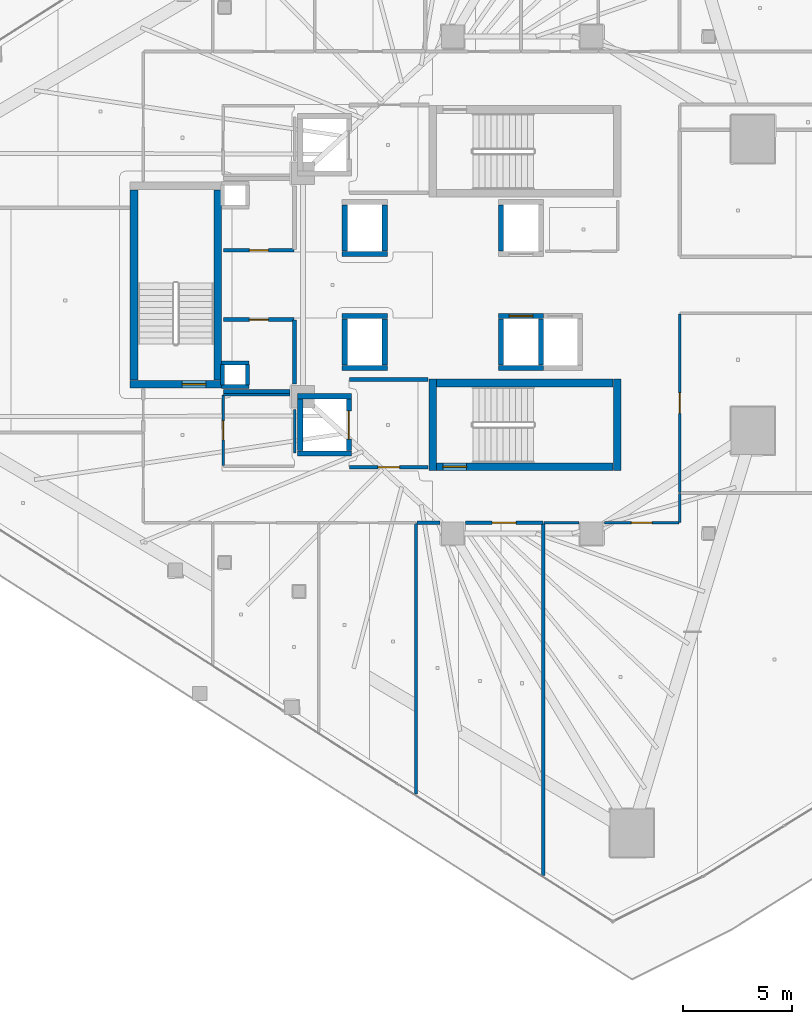
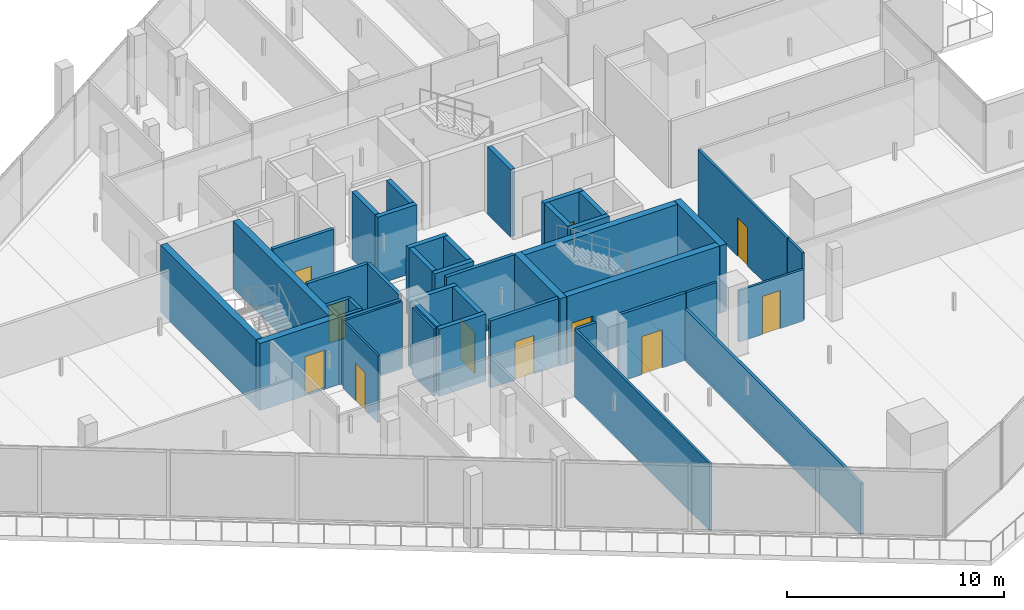
# One storey, part 26 of 39: 44 walls, 11 doors, 11 openings.
"""IFC4 building model written with IfcOpenShell, lengths in metres."""

from ifc_helpers import new_model, si_unit, direction, frame, frame_2d, origin, place, context, subcontext, project, spatial, rectangle, extrude, material, layer, layer_set, type_object, element, fill, save


model = new_model("IFC4")

# Units and contexts
model_context = context("Model", 3, precision=1e-05, world=origin(), true_north=direction((0.0, 1.0)))
body_context = subcontext(model_context, "Body", "Model", "MODEL_VIEW")
ifc_project = project(units=[si_unit("LENGTHUNIT", "METRE"), si_unit("AREAUNIT", "SQUARE_METRE"), si_unit("VOLUMEUNIT", "CUBIC_METRE"), si_unit("PLANEANGLEUNIT", "RADIAN"), si_unit("MASSUNIT", "GRAM", prefix="KILO")], contexts=[model_context])

# Site, building, storey
site_placement = place(None, origin())
site = spatial("IfcSite", under=ifc_project, at=site_placement, CompositionType="ELEMENT")
building_placement = place(site_placement, origin())
building = spatial("IfcBuilding", under=site, at=building_placement, Name="Qorvath Tower", CompositionType="ELEMENT")
storey_placement = place(building_placement, frame((0.0, 0.0, 162.449951171875)))
storey = spatial("IfcBuildingStorey", under=building, at=storey_placement, Name="L37", CompositionType="ELEMENT", Elevation=162.449951171875)

# Walls
ifc_material_1 = material(Name="Gypsum shaftliner on steel studs", Category="steel")
ifc_layer_1 = layer(ifc_material_1, 0.179931640625)
ifc_layer_set_1 = layer_set([ifc_layer_1], Name="FW-LOBBY")
wall_type_1 = type_object("IfcWallType", Name="FW-LOBBY", PredefinedType="PARTITIONING", material=ifc_layer_set_1)
for number, where, z_axis, x_axis, name in (
    (1, (-32.989990234375, -4.675048828125, 0.0), (0.0, 0.0, 1.0), (-1.0, 0.0, 0.0), "MEP Riser Shaft Enclosure Wall S-L37-S"),
    (2, (-34.260009765625, -3.594970703125, 0.0), (0.0, 0.0, 1.0), (1.0, 0.0, 0.0), "MEP Riser Shaft Enclosure Wall S-L37-N"),
):
    element("IfcWall", number, at=place(storey_placement, frame(where, z_axis=z_axis, x_axis=x_axis)), inside=storey, type_object=wall_type_1, Name=name, PredefinedType="PARTITIONING", context=body_context, shape_type="SweptSolid", body=[
        extrude(rectangle(XDim=1.27001953125, YDim=0.179931640625, at=frame_2d((0.635009765625, 0.0))), origin(), (0.0, 0.0, 1.0), 3.780029296875),
    ])
for number, where, z_axis, x_axis, name in (
    (3, (-34.205078125, -4.610107421875, 0.0), (0.0, 0.0, 1.0), (0.0, 1.0, 0.0), "MEP Riser Shaft Enclosure Wall S-L37-W"),
    (4, (-33.044921875, -3.659912109375, 0.0), (0.0, 0.0, 1.0), (0.0, -1.0, 0.0), "MEP Riser Shaft Enclosure Wall S-L37-E"),
):
    element("IfcWall", number, at=place(storey_placement, frame(where, z_axis=z_axis, x_axis=x_axis)), inside=storey, type_object=wall_type_1, Name=name, PredefinedType="PARTITIONING", context=body_context, shape_type="SweptSolid", body=[
        extrude(rectangle(XDim=0.9501953125, YDim=0.179931640625, at=frame_2d((0.47509765625, 0.0))), origin(), (0.0, 0.0, 1.0), 3.780029296875),
    ])

# Wall, opening, door
wall_1_placement = place(storey_placement, frame((-28.35498046875, -8.39990234375, 0.0), z_axis=(0.0, 0.0, 1.0), x_axis=(1.0, 0.0, 0.0)))
wall_1 = element("IfcWall", 5, at=wall_1_placement, inside=storey, type_object=wall_type_1, Name="Interior Partition IW-T1-L37-003", PredefinedType="PARTITIONING", context=body_context, shape_type="SweptSolid", body=[
    extrude(rectangle(XDim=3.6220703125, YDim=0.179931640625, at=frame_2d((1.81103515625, 0.0))), origin(), (0.0, 0.0, 1.0), 3.780029296875),
])
opening_1_placement = place(wall_1_placement, frame((1.31103515625, 0.0, 0.0)))
opening_1 = element("IfcOpeningElement", 6, at=opening_1_placement, cuts=wall_1, Name="Opening D-T1-L37-22", PredefinedType="OPENING", context=body_context, shape_type="SweptSolid", body=[
    extrude(rectangle(XDim=1.0, YDim=2.14990234375, at=frame_2d((0.5, 1.074951171875))), frame((0.0, 0.10009765625, 0.0), z_axis=(0.0, -1.0, 0.0), x_axis=(1.0, 0.0, 0.0)), (0.0, 0.0, 1.0), 0.199951171875),
])
ifc_material_2 = material(Name="Painted galvanised hollow metal", Category="steel")
door_type_1 = type_object("IfcDoorType", Name="FD-60", OperationType="NOTDEFINED", PredefinedType="DOOR", material=ifc_material_2)
door_1_placement = place(opening_1_placement, origin())
door_1 = element("IfcDoor", 7, at=door_1_placement, inside=storey, type_object=door_type_1, Name="Lobby Fire Service Elevator South Door D-T1-L37-22", OperationType="SINGLE_SWING_LEFT", OverallHeight=2.14990234375, OverallWidth=1.0, PredefinedType="DOOR", context=body_context, shape_type="SweptSolid", body=[
    extrude(rectangle(XDim=1.0, YDim=2.14990234375, at=frame_2d((0.5, 1.074951171875))), frame((0.0, 0.02490234375, 0.0), z_axis=(0.0, -1.0, 0.0), x_axis=(1.0, 0.0, 0.0)), (0.0, 0.0, 1.0), 0.050048828125),
])
fill(opening_1, door_1)

# Wall
wall_2_placement = place(storey_placement, frame((-24.73291015625, -4.35009765625, 0.0), z_axis=(0.0, 0.0, 1.0), x_axis=(-1.0, 0.0, 0.0)))
element("IfcWall", 8, at=wall_2_placement, inside=storey, type_object=wall_type_1, Name="Interior Partition IW-T1-L37-004", PredefinedType="PARTITIONING", context=body_context, shape_type="SweptSolid", body=[
    extrude(rectangle(XDim=3.6220703125, YDim=0.179931640625, at=frame_2d((1.81103515625, 0.0))), origin(), (0.0, 0.0, 1.0), 3.780029296875),
])

# Wall, opening, door
wall_3_placement = place(storey_placement, frame((-34.15478515625, 1.60009765625, 0.0), z_axis=(0.0, 0.0, 1.0), x_axis=(1.0, 0.0, 0.0)))
wall_3 = element("IfcWall", 9, at=wall_3_placement, inside=storey, type_object=wall_type_1, Name="Interior Partition IW-T1-L37-015", PredefinedType="PARTITIONING", context=body_context, shape_type="SweptSolid", body=[
    extrude(rectangle(XDim=3.25, YDim=0.179931640625, at=frame_2d((1.625, 0.0))), origin(), (0.0, 0.0, 1.0), 3.780029296875),
])
opening_2_placement = place(wall_3_placement, frame((1.18505859375, 0.0, 0.0)))
opening_2 = element("IfcOpeningElement", 10, at=opening_2_placement, cuts=wall_3, Name="Opening D-T1-L37-04", PredefinedType="OPENING", context=body_context, shape_type="SweptSolid", body=[
    extrude(rectangle(XDim=0.8798828125, YDim=2.10009765625, at=frame_2d((0.43994140625, 1.050048828125))), frame((0.0, 0.10009765625, 0.0), z_axis=(0.0, -1.0, 0.0), x_axis=(1.0, 0.0, 0.0)), (0.0, 0.0, 1.0), 0.199951171875),
])
ifc_material_3 = material(Name="Painted galvanised hollow metal", Category="steel")
door_type_2 = type_object("IfcDoorType", Name="FD-60N", OperationType="NOTDEFINED", PredefinedType="DOOR", material=ifc_material_3)
door_2_placement = place(opening_2_placement, origin())
door_2 = element("IfcDoor", 11, at=door_2_placement, inside=storey, type_object=door_type_2, Name="Core cleaner and custodial room L37 Door D-T1-L37-04", OperationType="SINGLE_SWING_LEFT", OverallHeight=2.10009765625, OverallWidth=0.8798828125, PredefinedType="DOOR", context=body_context, shape_type="SweptSolid", body=[
    extrude(rectangle(XDim=0.8798828125, YDim=2.10009765625, at=frame_2d((0.43994140625, 1.050048828125))), frame((0.0, 0.02490234375, 0.0), z_axis=(0.0, -1.0, 0.0), x_axis=(1.0, 0.0, 0.0)), (0.0, 0.0, 1.0), 0.050048828125),
])
fill(opening_2, door_2)

# Walls
wall_4_placement = place(storey_placement, frame((-34.15478515625, -4.89990234375, 0.0), z_axis=(0.0, 0.0, 1.0), x_axis=(1.0, 0.0, 0.0)))
element("IfcWall", 12, at=wall_4_placement, inside=storey, type_object=wall_type_1, Name="Interior Partition IW-T1-L37-018", PredefinedType="PARTITIONING", context=body_context, shape_type="SweptSolid", body=[
    extrude(rectangle(XDim=3.064697265625, YDim=0.179931640625, at=frame_2d((1.5322265625, 0.0))), origin(), (0.0, 0.0, 1.0), 3.780029296875),
])
wall_5_placement = place(storey_placement, frame((-30.8798828125, -4.56005859375, 0.0), z_axis=(0.0, 0.0, 1.0), x_axis=(0.0, 1.0, 0.0)))
element("IfcWall", 13, at=wall_5_placement, inside=storey, type_object=wall_type_1, Name="Interior Partition IW-T1-L37-019", PredefinedType="PARTITIONING", context=body_context, shape_type="SweptSolid", body=[
    extrude(rectangle(XDim=2.93505859375, YDim=0.179931640625, at=frame_2d((1.467529296875, 0.0))), origin(), (0.0, 0.0, 1.0), 3.780029296875),
])

# Wall, opening, door
wall_6_placement = place(storey_placement, frame((-30.90478515625, -1.60009765625, 0.0), z_axis=(0.0, 0.0, 1.0), x_axis=(-1.0, 0.0, 0.0)))
wall_6 = element("IfcWall", 14, at=wall_6_placement, inside=storey, type_object=wall_type_1, Name="Interior Partition IW-T1-L37-020", PredefinedType="PARTITIONING", context=body_context, shape_type="SweptSolid", body=[
    extrude(rectangle(XDim=3.25, YDim=0.179931640625, at=frame_2d((1.625, 0.0))), origin(), (0.0, 0.0, 1.0), 3.780029296875),
])
opening_3_placement = place(wall_6_placement, frame((1.18505859375, 0.0, 0.0)))
opening_3 = element("IfcOpeningElement", 15, at=opening_3_placement, cuts=wall_6, Name="Opening D-T1-L37-05", PredefinedType="OPENING", context=body_context, shape_type="SweptSolid", body=[
    extrude(rectangle(XDim=0.8798828125, YDim=2.10009765625, at=frame_2d((0.43994140625, 1.050048828125))), frame((0.0, 0.10009765625, 0.0), z_axis=(0.0, -1.0, 0.0), x_axis=(1.0, 0.0, 0.0)), (0.0, 0.0, 1.0), 0.199951171875),
])
door_3_placement = place(opening_3_placement, origin())
door_3 = element("IfcDoor", 16, at=door_3_placement, inside=storey, type_object=door_type_2, Name="Core electrical room L37 Door D-T1-L37-05", OperationType="SINGLE_SWING_RIGHT", OverallHeight=2.10009765625, OverallWidth=0.8798828125, PredefinedType="DOOR", context=body_context, shape_type="SweptSolid", body=[
    extrude(rectangle(XDim=0.8798828125, YDim=2.10009765625, at=frame_2d((0.43994140625, 1.050048828125))), frame((0.0, 0.02490234375, 0.0), z_axis=(0.0, -1.0, 0.0), x_axis=(1.0, 0.0, 0.0)), (0.0, 0.0, 1.0), 0.050048828125),
])
fill(opening_3, door_3)

# Walls
ifc_material_4 = material(Name="Double acoustic gypsum board on steel studs", Category="steel")
ifc_layer_2 = layer(ifc_material_4, 0.159912109375)
ifc_layer_set_2 = layer_set([ifc_layer_2], Name="IW-ACOUSTIC-160")
wall_type_2 = type_object("IfcWallType", Name="IW-ACOUSTIC-160", PredefinedType="PARTITIONING", material=ifc_layer_set_2)
wall_7_placement = place(storey_placement, frame((-24.18994140625, -10.9580078125, 0.0), z_axis=(0.0, 0.0, 1.0), x_axis=(-1.0, 0.0, 0.0)))
element("IfcWall", 17, at=wall_7_placement, inside=storey, type_object=wall_type_2, Name="Interior Partition IW-T1-L37-040", PredefinedType="PARTITIONING", context=body_context, shape_type="SweptSolid", body=[
    extrude(rectangle(XDim=1.062744140625, YDim=0.159912109375, at=frame_2d((0.53125, 0.0))), origin(), (0.0, 0.0, 1.0), 3.780029296875),
])
wall_8_placement = place(storey_placement, frame((-19.421142578125, -27.2099609375, 0.0), z_axis=(0.0, 0.0, 1.0), x_axis=(0.0, 1.0, 0.0)))
element("IfcWall", 18, at=wall_8_placement, inside=storey, type_object=wall_type_2, Name="Interior Partition IW-T1-L37-041", PredefinedType="PARTITIONING", context=body_context, shape_type="SweptSolid", body=[
    extrude(rectangle(XDim=16.22705078125, YDim=0.159912109375, at=frame_2d((8.113525390625, 0.0))), origin(), (0.0, 0.0, 1.0), 2.89501953125),
])

# Wall, opening, door
wall_9_placement = place(storey_placement, frame((-19.446044921875, -10.9580078125, 0.0), z_axis=(0.0, 0.0, 1.0), x_axis=(-1.0, 0.0, 0.0)))
wall_9 = element("IfcWall", 19, at=wall_9_placement, inside=storey, type_object=wall_type_2, Name="Interior Partition IW-T1-L37-042", PredefinedType="PARTITIONING", context=body_context, shape_type="SweptSolid", body=[
    extrude(rectangle(XDim=3.56396484375, YDim=0.159912109375, at=frame_2d((1.781982421875, 0.0))), origin(), (0.0, 0.0, 1.0), 3.780029296875),
])
opening_4_placement = place(wall_9_placement, frame((1.23193359375, 0.0, 0.0)))
opening_4 = element("IfcOpeningElement", 20, at=opening_4_placement, cuts=wall_9, Name="Opening D-T1-L37-13", PredefinedType="OPENING", context=body_context, shape_type="SweptSolid", body=[
    extrude(rectangle(XDim=1.10009765625, YDim=2.14990234375, at=frame_2d((0.550048828125, 1.074951171875))), frame((0.0, 0.08984375, 0.0), z_axis=(0.0, -1.0, 0.0), x_axis=(1.0, 0.0, 0.0)), (0.0, 0.0, 1.0), 0.179931640625),
])
ifc_material_5 = material(Name="Anodised aluminium acoustic framed glass", Category="aluminium")
door_type_3 = type_object("IfcDoorType", Name="D-03", OperationType="NOTDEFINED", PredefinedType="DOOR", material=ifc_material_5)
door_4_placement = place(opening_4_placement, origin())
door_4 = element("IfcDoor", 21, at=door_4_placement, inside=storey, type_object=door_type_3, Name="L37-08 Digital Visualization Suite Door D-T1-L37-13", OperationType="SINGLE_SWING_RIGHT", OverallHeight=2.14990234375, OverallWidth=1.10009765625, PredefinedType="DOOR", context=body_context, shape_type="SweptSolid", body=[
    extrude(rectangle(XDim=1.10009765625, YDim=2.14990234375, at=frame_2d((0.550048828125, 1.074951171875))), frame((0.0, 0.02490234375, 0.0), z_axis=(0.0, -1.0, 0.0), x_axis=(1.0, 0.0, 0.0)), (0.0, 0.0, 1.0), 0.050048828125),
])
fill(opening_4, door_4)

# Walls
ifc_material_6 = material(Name="Gypsum board on metal studs with mineral wool", Category="gypsum")
ifc_layer_3 = layer(ifc_material_6, 0.125)
ifc_layer_set_3 = layer_set([ifc_layer_3], Name="IW-PART-125")
wall_type_3 = type_object("IfcWallType", Name="IW-PART-125", PredefinedType="PARTITIONING", material=ifc_layer_set_3)
wall_10_placement = place(storey_placement, frame((-25.285888671875, -23.461669921875, 0.0), z_axis=(0.0, 0.0, 1.0), x_axis=(0.0, 1.0, 0.0)))
element("IfcWall", 22, at=wall_10_placement, inside=storey, type_object=wall_type_3, Name="Interior Partition IW-T1-L37-038", PredefinedType="PARTITIONING", context=body_context, shape_type="SweptSolid", body=[
    extrude(rectangle(XDim=12.478759765625, YDim=0.125, at=frame_2d((6.2392578125, 0.0))), origin(), (0.0, 0.0, 1.0), 3.780029296875),
])
wall_11_placement = place(storey_placement, frame((-13.14208984375, -9.611328125, 0.0), z_axis=(0.0, 0.0, 1.0), x_axis=(0.0, -1.0, 0.0)))
element("IfcWall", 23, at=wall_11_placement, inside=storey, type_object=wall_type_3, Name="Interior Partition IW-T1-L37-044", PredefinedType="PARTITIONING", context=body_context, shape_type="SweptSolid", body=[
    extrude(rectangle(XDim=1.32177734375, YDim=0.125, at=frame_2d((0.660888671875, 0.0))), origin(), (0.0, 0.0, 1.0), 3.780029296875),
])

# Wall, opening, door
wall_12_placement = place(storey_placement, frame((-13.1669921875, -10.9580078125, 0.0), z_axis=(0.0, 0.0, 1.0), x_axis=(-1.0, 0.0, 0.0)))
wall_12 = element("IfcWall", 24, at=wall_12_placement, inside=storey, type_object=wall_type_3, Name="Interior Partition IW-T1-L37-045", PredefinedType="PARTITIONING", context=body_context, shape_type="SweptSolid", body=[
    extrude(rectangle(XDim=3.443115234375, YDim=0.125, at=frame_2d((1.7216796875, 0.0))), origin(), (0.0, 0.0, 1.0), 2.89501953125),
])
opening_5_placement = place(wall_12_placement, frame((1.24658203125, 0.0, 0.0)))
opening_5 = element("IfcOpeningElement", 25, at=opening_5_placement, cuts=wall_12, Name="Opening D-T1-L37-14", PredefinedType="OPENING", context=body_context, shape_type="SweptSolid", body=[
    extrude(rectangle(XDim=0.949951171875, YDim=2.14990234375, at=frame_2d((0.47509765625, 1.074951171875))), frame((0.0, 0.072509765625, 0.0), z_axis=(0.0, -1.0, 0.0), x_axis=(1.0, 0.0, 0.0)), (0.0, 0.0, 1.0), 0.14501953125),
])
ifc_material_7 = material(Name="Solid-core American white oak veneer", Category="wood")
door_type_4 = type_object("IfcDoorType", Name="D-01", OperationType="NOTDEFINED", PredefinedType="DOOR", material=ifc_material_7)
door_5_placement = place(opening_5_placement, origin())
door_5 = element("IfcDoor", 26, at=door_5_placement, inside=storey, type_object=door_type_4, Name="L37-09 Quantitative Research Studio Door D-T1-L37-14", OperationType="SINGLE_SWING_LEFT", OverallHeight=2.14990234375, OverallWidth=0.949951171875, PredefinedType="DOOR", context=body_context, shape_type="SweptSolid", body=[
    extrude(rectangle(XDim=0.949951171875, YDim=2.14990234375, at=frame_2d((0.47509765625, 1.074951171875))), frame((0.0, 0.02490234375, 0.0), z_axis=(0.0, -1.0, 0.0), x_axis=(1.0, 0.0, 0.0)), (0.0, 0.0, 1.0), 0.050048828125),
])
fill(opening_5, door_5)

# Wall
wall_13_placement = place(storey_placement, frame((-17.7900390625, -10.9580078125, 0.0), z_axis=(0.0, 0.0, 1.0), x_axis=(-1.0, 0.0, 0.0)))
element("IfcWall", 27, at=wall_13_placement, inside=storey, type_object=wall_type_3, Name="Interior Partition IW-T1-L37-046", PredefinedType="PARTITIONING", context=body_context, shape_type="SweptSolid", body=[
    extrude(rectangle(XDim=1.59814453125, YDim=0.125, at=frame_2d((0.799072265625, 0.0))), origin(), (0.0, 0.0, 1.0), 3.780029296875),
])

# Wall, opening, door
wall_14_placement = place(storey_placement, frame((-13.14208984375, -1.3330078125, 0.0), z_axis=(0.0, 0.0, 1.0), x_axis=(0.0, -1.0, 0.0)))
wall_14 = element("IfcWall", 28, at=wall_14_placement, inside=storey, type_object=wall_type_3, Name="Interior Partition IW-T1-L37-049", PredefinedType="PARTITIONING", context=body_context, shape_type="SweptSolid", body=[
    extrude(rectangle(XDim=8.220458984375, YDim=0.125, at=frame_2d((4.1103515625, 0.0))), origin(), (0.0, 0.0, 1.0), 3.780029296875),
])
opening_6_placement = place(wall_14_placement, frame((3.63525390625, 0.0, 0.0)))
opening_6 = element("IfcOpeningElement", 29, at=opening_6_placement, cuts=wall_14, Name="Opening D-T1-L37-15", PredefinedType="OPENING", context=body_context, shape_type="SweptSolid", body=[
    extrude(rectangle(XDim=0.949951171875, YDim=2.14990234375, at=frame_2d((0.47509765625, 1.074951171875))), frame((0.0, 0.072509765625, 0.0), z_axis=(0.0, -1.0, 0.0), x_axis=(1.0, 0.0, 0.0)), (0.0, 0.0, 1.0), 0.14501953125),
])
door_6_placement = place(opening_6_placement, origin())
door_6 = element("IfcDoor", 30, at=door_6_placement, inside=storey, type_object=door_type_4, Name="L37-10 Open Workplace Studio Door D-T1-L37-15", OperationType="SINGLE_SWING_RIGHT", OverallHeight=2.14990234375, OverallWidth=0.949951171875, PredefinedType="DOOR", context=body_context, shape_type="SweptSolid", body=[
    extrude(rectangle(XDim=0.949951171875, YDim=2.14990234375, at=frame_2d((0.47509765625, 1.074951171875))), frame((0.0, 0.02490234375, 0.0), z_axis=(0.0, -1.0, 0.0), x_axis=(1.0, 0.0, 0.0)), (0.0, 0.0, 1.0), 0.050048828125),
])
fill(opening_6, door_6)

# Walls
ifc_material_8 = material(Name="Moisture-resistant cement board on metal studs", Category="gypsum")
ifc_layer_4 = layer(ifc_material_8, 0.110107421875)
ifc_layer_set_4 = layer_set([ifc_layer_4], Name="IW-WC-110")
wall_type_4 = type_object("IfcWallType", Name="IW-WC-110", PredefinedType="PARTITIONING", material=ifc_layer_set_4)
wall_15_placement = place(storey_placement, frame((-30.8798828125, -7.742919921875, 0.0), z_axis=(0.0, 0.0, 1.0), x_axis=(0.0, 1.0, 0.0)))
element("IfcWall", 31, at=wall_15_placement, inside=storey, type_object=wall_type_4, Name="Interior Partition IW-T1-L37-010", PredefinedType="PARTITIONING", context=body_context, shape_type="SweptSolid", body=[
    extrude(rectangle(XDim=2.0029296875, YDim=0.110107421875, at=frame_2d((1.00146484375, 0.0))), origin(), (0.0, 0.0, 1.0), 3.780029296875),
])
wall_16_placement = place(storey_placement, frame((-31.090087890625, -5.050048828125, 0.0), z_axis=(0.0, 0.0, 1.0), x_axis=(-1.0, 0.0, 0.0)))
element("IfcWall", 32, at=wall_16_placement, inside=storey, type_object=wall_type_4, Name="Interior Partition IW-T1-L37-011", PredefinedType="PARTITIONING", context=body_context, shape_type="SweptSolid", body=[
    extrude(rectangle(XDim=3.064697265625, YDim=0.110107421875, at=frame_2d((1.5322265625, 0.0))), origin(), (0.0, 0.0, 1.0), 3.780029296875),
])

# Wall, opening, door
wall_17_placement = place(storey_placement, frame((-34.179931640625, -5.074951171875, 0.0), z_axis=(0.0, 0.0, 1.0), x_axis=(0.0, -1.0, 0.0)))
wall_17 = element("IfcWall", 33, at=wall_17_placement, inside=storey, type_object=wall_type_4, Name="Interior Partition IW-T1-L37-012", PredefinedType="PARTITIONING", context=body_context, shape_type="SweptSolid", body=[
    extrude(rectangle(XDim=3.250244140625, YDim=0.110107421875, at=frame_2d((1.625, 0.0))), origin(), (0.0, 0.0, 1.0), 3.780029296875),
])
opening_7_placement = place(wall_17_placement, frame((1.18505859375, 0.0, 0.0)))
opening_7 = element("IfcOpeningElement", 34, at=opening_7_placement, cuts=wall_17, Name="Opening D-T1-L37-02", PredefinedType="OPENING", context=body_context, shape_type="SweptSolid", body=[
    extrude(rectangle(XDim=0.8798828125, YDim=2.10009765625, at=frame_2d((0.43994140625, 1.050048828125))), frame((0.0, 0.06494140625, 0.0), z_axis=(0.0, -1.0, 0.0), x_axis=(1.0, 0.0, 0.0)), (0.0, 0.0, 1.0), 0.130126953125),
])
ifc_material_9 = material(Name="Solid-core oak with acoustic drop seal", Category="wood")
door_type_5 = type_object("IfcDoorType", Name="D-02", OperationType="NOTDEFINED", PredefinedType="DOOR", material=ifc_material_9)
door_7_placement = place(opening_7_placement, origin())
door_7 = element("IfcDoor", 35, at=door_7_placement, inside=storey, type_object=door_type_5, Name="Accessible WC South L37 Door D-T1-L37-02", OperationType="SINGLE_SWING_LEFT", OverallHeight=2.10009765625, OverallWidth=0.8798828125, PredefinedType="DOOR", context=body_context, shape_type="SweptSolid", body=[
    extrude(rectangle(XDim=0.8798828125, YDim=2.10009765625, at=frame_2d((0.43994140625, 1.050048828125))), frame((0.0, 0.02490234375, 0.0), z_axis=(0.0, -1.0, 0.0), x_axis=(1.0, 0.0, 0.0)), (0.0, 0.0, 1.0), 0.050048828125),
])
fill(opening_7, door_7)

# Walls
ifc_material_10 = material(Name="Concrete C60/75", Category="concrete")
ifc_layer_5 = layer(ifc_material_10, 0.260009765625)
ifc_layer_set_5 = layer_set([ifc_layer_5], Name="SW-SHAFT")
wall_type_5 = type_object("IfcWallType", Name="SW-SHAFT", PredefinedType="SHEAR", material=ifc_layer_set_5)
for number, where, z_axis, x_axis, name in (
    (36, (-28.260009765625, -7.77001953125, 0.0), (0.0, 0.0, 1.0), (-1.0, 0.0, 0.0), "Hoistway Wall FSAE-2 L37 S"),
    (37, (-30.739990234375, -5.1298828125, 0.0), (0.0, 0.0, 1.0), (1.0, 0.0, 0.0), "Hoistway Wall FSAE-2 L37 N"),
):
    element("IfcWall", number, at=place(storey_placement, frame(where, z_axis=z_axis, x_axis=x_axis)), inside=storey, type_object=wall_type_5, Name=name, PredefinedType="SHEAR", context=body_context, shape_type="SweptSolid", body=[
        extrude(rectangle(XDim=2.47998046875, YDim=0.239990234375, at=frame_2d((1.239990234375, 0.0))), origin(), (0.0, 0.0, 1.0), 3.780029296875),
    ])
wall_18_placement = place(storey_placement, frame((-30.6201171875, -7.637939453125, 0.0), z_axis=(0.0, 0.0, 1.0), x_axis=(0.0, 1.0, 0.0)))
element("IfcWall", 38, at=wall_18_placement, inside=storey, type_object=wall_type_5, Name="Hoistway Wall FSAE-2 L37 W", PredefinedType="SHEAR", context=body_context, shape_type="SweptSolid", body=[
    extrude(rectangle(XDim=2.3759765625, YDim=0.239990234375, at=frame_2d((1.18798828125, 0.0))), origin(), (0.0, 0.0, 1.0), 3.780029296875),
])

# Wall, opening, door
wall_19_placement = place(storey_placement, frame((-28.3798828125, -5.261962890625, 0.0), z_axis=(0.0, 0.0, 1.0), x_axis=(0.0, -1.0, 0.0)))
wall_19 = element("IfcWall", 39, at=wall_19_placement, inside=storey, type_object=wall_type_5, Name="Hoistway Wall FSAE-2 L37 E", PredefinedType="SHEAR", context=body_context, shape_type="SweptSolid", body=[
    extrude(rectangle(XDim=2.3759765625, YDim=0.239990234375, at=frame_2d((1.18798828125, 0.0))), origin(), (0.0, 0.0, 1.0), 3.780029296875),
])
opening_8_placement = place(wall_19_placement, frame((0.5380859375, 0.0, 0.0)))
opening_8 = element("IfcOpeningElement", 40, at=opening_8_placement, cuts=wall_19, Name="Opening LD-FSAE-2-L37", PredefinedType="OPENING", context=body_context, shape_type="SweptSolid", body=[
    extrude(rectangle(XDim=1.300048828125, YDim=2.300048828125, at=frame_2d((0.64990234375, 1.14990234375))), frame((0.0, 0.1298828125, 0.0), z_axis=(0.0, -1.0, 0.0), x_axis=(1.0, 0.0, 0.0)), (0.0, 0.0, 1.0), 0.260009765625),
])
ifc_material_11 = material(Name="Brushed stainless steel AISI 316", Category="steel")
door_type_6 = type_object("IfcDoorType", Name="LD-02", OperationType="NOTDEFINED", PredefinedType="DOOR", material=ifc_material_11)
door_8_placement = place(opening_8_placement, origin())
door_8 = element("IfcDoor", 41, at=door_8_placement, inside=storey, type_object=door_type_6, Name="Elevator Landing Sliding Door LD-FSAE-2-L37", OperationType="DOUBLE_DOOR_SLIDING", OverallHeight=2.300048828125, OverallWidth=1.300048828125, PredefinedType="DOOR", context=body_context, shape_type="SweptSolid", body=[
    extrude(rectangle(XDim=1.300048828125, YDim=2.300048828125, at=frame_2d((0.64990234375, 1.14990234375))), frame((0.0, 0.02490234375, 0.0), z_axis=(0.0, -1.0, 0.0), x_axis=(1.0, 0.0, 0.0)), (0.0, 0.0, 1.0), 0.050048828125),
])
fill(opening_8, door_8)

# Walls
wall_20_placement = place(storey_placement, frame((-26.610107421875, 1.429931640625, 0.0), z_axis=(0.0, 0.0, 1.0), x_axis=(-1.0, 0.0, 0.0)))
element("IfcWall", 42, at=wall_20_placement, inside=storey, type_object=wall_type_5, Name="Hoistway Wall PS-1 L37 S", PredefinedType="SHEAR", context=body_context, shape_type="SweptSolid", body=[
    extrude(rectangle(XDim=2.079833984375, YDim=0.239990234375, at=frame_2d((1.0400390625, 0.0))), origin(), (0.0, 0.0, 1.0), 3.780029296875),
])
for number, where, z_axis, x_axis, name in (
    (43, (-28.570068359375, 1.56201171875, 0.0), (0.0, 0.0, 1.0), (0.0, 1.0, 0.0), "Hoistway Wall PS-1 L37 W"),
    (44, (-26.72998046875, 3.68798828125, 0.0), (0.0, 0.0, 1.0), (0.0, -1.0, 0.0), "Hoistway Wall PS-1 L37 E"),
    (45, (-21.3701171875, 1.56201171875, 0.0), (0.0, 0.0, 1.0), (0.0, 1.0, 0.0), "Hoistway Wall PM-1 L37 W"),
):
    element("IfcWall", number, at=place(storey_placement, frame(where, z_axis=z_axis, x_axis=x_axis)), inside=storey, type_object=wall_type_5, Name=name, PredefinedType="SHEAR", context=body_context, shape_type="SweptSolid", body=[
        extrude(rectangle(XDim=2.1259765625, YDim=0.239990234375, at=frame_2d((1.06298828125, 0.0))), origin(), (0.0, 0.0, 1.0), 3.780029296875),
    ])
for number, where, z_axis, x_axis, name in (
    (46, (-26.610107421875, -3.820068359375, 0.0), (0.0, 0.0, 1.0), (-1.0, 0.0, 0.0), "Hoistway Wall PS-2 L37 S"),
    (47, (-28.68994140625, -1.429931640625, 0.0), (0.0, 0.0, 1.0), (1.0, 0.0, 0.0), "Hoistway Wall PS-2 L37 N"),
):
    element("IfcWall", number, at=place(storey_placement, frame(where, z_axis=z_axis, x_axis=x_axis)), inside=storey, type_object=wall_type_5, Name=name, PredefinedType="SHEAR", context=body_context, shape_type="SweptSolid", body=[
        extrude(rectangle(XDim=2.079833984375, YDim=0.239990234375, at=frame_2d((1.0400390625, 0.0))), origin(), (0.0, 0.0, 1.0), 3.780029296875),
    ])
for number, where, z_axis, x_axis, name in (
    (48, (-28.570068359375, -3.68798828125, 0.0), (0.0, 0.0, 1.0), (0.0, 1.0, 0.0), "Hoistway Wall PS-2 L37 W"),
    (49, (-26.72998046875, -1.56201171875, 0.0), (0.0, 0.0, 1.0), (0.0, -1.0, 0.0), "Hoistway Wall PS-2 L37 E"),
):
    element("IfcWall", number, at=place(storey_placement, frame(where, z_axis=z_axis, x_axis=x_axis)), inside=storey, type_object=wall_type_5, Name=name, PredefinedType="SHEAR", context=body_context, shape_type="SweptSolid", body=[
        extrude(rectangle(XDim=2.1259765625, YDim=0.239990234375, at=frame_2d((1.06298828125, 0.0))), origin(), (0.0, 0.0, 1.0), 3.780029296875),
    ])
wall_21_placement = place(storey_placement, frame((-19.409912109375, -3.820068359375, 0.0), z_axis=(0.0, 0.0, 1.0), x_axis=(-1.0, 0.0, 0.0)))
element("IfcWall", 50, at=wall_21_placement, inside=storey, type_object=wall_type_5, Name="Hoistway Wall PM-2 L37 S", PredefinedType="SHEAR", context=body_context, shape_type="SweptSolid", body=[
    extrude(rectangle(XDim=2.080078125, YDim=0.239990234375, at=frame_2d((1.0400390625, 0.0))), origin(), (0.0, 0.0, 1.0), 3.780029296875),
])

# Wall, opening, door
wall_22_placement = place(storey_placement, frame((-21.489990234375, -1.429931640625, 0.0), z_axis=(0.0, 0.0, 1.0), x_axis=(1.0, 0.0, 0.0)))
wall_22 = element("IfcWall", 51, at=wall_22_placement, inside=storey, type_object=wall_type_5, Name="Hoistway Wall PM-2 L37 N", PredefinedType="SHEAR", context=body_context, shape_type="SweptSolid", body=[
    extrude(rectangle(XDim=2.080078125, YDim=0.239990234375, at=frame_2d((1.0400390625, 0.0))), origin(), (0.0, 0.0, 1.0), 3.780029296875),
])
opening_9_placement = place(wall_22_placement, frame((0.489990234375, 0.0, 0.0)))
opening_9 = element("IfcOpeningElement", 52, at=opening_9_placement, cuts=wall_22, Name="Opening LD-PM-2-L37", PredefinedType="OPENING", context=body_context, shape_type="SweptSolid", body=[
    extrude(rectangle(XDim=1.10009765625, YDim=2.199951171875, at=frame_2d((0.550048828125, 1.10009765625))), frame((0.0, 0.1298828125, 0.0), z_axis=(0.0, -1.0, 0.0), x_axis=(1.0, 0.0, 0.0)), (0.0, 0.0, 1.0), 0.260009765625),
])
ifc_material_12 = material(Name="Brushed stainless steel AISI 316", Category="steel")
door_type_7 = type_object("IfcDoorType", Name="LD-01", OperationType="NOTDEFINED", PredefinedType="DOOR", material=ifc_material_12)
door_9_placement = place(opening_9_placement, origin())
door_9 = element("IfcDoor", 53, at=door_9_placement, inside=storey, type_object=door_type_7, Name="Elevator Landing Sliding Door LD-PM-2-L37", OperationType="DOUBLE_DOOR_SLIDING", OverallHeight=2.199951171875, OverallWidth=1.10009765625, PredefinedType="DOOR", context=body_context, shape_type="SweptSolid", body=[
    extrude(rectangle(XDim=1.10009765625, YDim=2.199951171875, at=frame_2d((0.550048828125, 1.10009765625))), frame((0.0, 0.02490234375, 0.0), z_axis=(0.0, -1.0, 0.0), x_axis=(1.0, 0.0, 0.0)), (0.0, 0.0, 1.0), 0.050048828125),
])
fill(opening_9, door_9)

# Walls
for number, where, z_axis, x_axis, name in (
    (54, (-21.3701171875, -3.68798828125, 0.0), (0.0, 0.0, 1.0), (0.0, 1.0, 0.0), "Hoistway Wall PM-2 L37 W"),
    (55, (-19.530029296875, -1.56201171875, 0.0), (0.0, 0.0, 1.0), (0.0, -1.0, 0.0), "Hoistway Wall PM-2 L37 E"),
):
    element("IfcWall", number, at=place(storey_placement, frame(where, z_axis=z_axis, x_axis=x_axis)), inside=storey, type_object=wall_type_5, Name=name, PredefinedType="SHEAR", context=body_context, shape_type="SweptSolid", body=[
        extrude(rectangle(XDim=2.1259765625, YDim=0.239990234375, at=frame_2d((1.06298828125, 0.0))), origin(), (0.0, 0.0, 1.0), 3.780029296875),
    ])
ifc_material_13 = material(Name="Concrete C60/75", Category="concrete")
ifc_layer_6 = layer(ifc_material_13, 0.35009765625)
ifc_layer_set_6 = layer_set([ifc_layer_6], Name="SW-STAIR")
wall_type_6 = type_object("IfcWallType", Name="SW-STAIR", PredefinedType="SHEAR", material=ifc_layer_set_6)
for number, where, z_axis, x_axis, name in (
    (56, (-24.52490234375, -4.340087890625, 0.0), (0.0, 0.0, 1.0), (0.0, -1.0, 0.0), "Stair TS2 Shear Wall L37 NEAR"),
    (57, (-16.02490234375, -8.550048828125, 0.0), (0.0, 0.0, 1.0), (0.0, 1.0, 0.0), "Stair TS2 Shear Wall L37 FAR"),
):
    element("IfcWall", number, at=place(storey_placement, frame(where, z_axis=z_axis, x_axis=x_axis)), inside=storey, type_object=wall_type_6, Name=name, PredefinedType="SHEAR", context=body_context, shape_type="SweptSolid", body=[
        extrude(rectangle(XDim=4.2099609375, YDim=0.35009765625, at=frame_2d((2.10498046875, 0.0))), origin(), (0.0, 0.0, 1.0), 3.780029296875),
    ])

# Wall, opening, door
wall_23_placement = place(storey_placement, frame((-24.3349609375, -8.375, 0.0), z_axis=(0.0, 0.0, 1.0), x_axis=(1.0, 0.0, 0.0)))
wall_23 = element("IfcWall", 58, at=wall_23_placement, inside=storey, type_object=wall_type_6, Name="Stair TS2 Shear Wall L37 LEFT", PredefinedType="SHEAR", context=body_context, shape_type="SweptSolid", body=[
    extrude(rectangle(XDim=8.119873046875, YDim=0.35009765625, at=frame_2d((4.06005859375, 0.0))), origin(), (0.0, 0.0, 1.0), 3.780029296875),
])
opening_10_placement = place(wall_23_placement, frame((0.280029296875, 0.0, 0.0)))
opening_10 = element("IfcOpeningElement", 59, at=opening_10_placement, cuts=wall_23, Name="Opening D-TS2-L37", PredefinedType="OPENING", context=body_context, shape_type="SweptSolid", body=[
    extrude(rectangle(XDim=1.10009765625, YDim=2.199951171875, at=frame_2d((0.550048828125, 1.10009765625))), frame((0.0, 0.18505859375, 0.0), z_axis=(0.0, -1.0, 0.0), x_axis=(1.0, 0.0, 0.0)), (0.0, 0.0, 1.0), 0.3701171875),
])
ifc_material_14 = material(Name="Painted galvanised hollow metal", Category="steel")
door_type_8 = type_object("IfcDoorType", Name="FD-90", OperationType="NOTDEFINED", PredefinedType="DOOR", material=ifc_material_14)
door_10_placement = place(opening_10_placement, origin())
door_10 = element("IfcDoor", 60, at=door_10_placement, inside=storey, type_object=door_type_8, Name="Stair TS2 Fire Door L37", OperationType="SINGLE_SWING_RIGHT", OverallHeight=2.199951171875, OverallWidth=1.10009765625, PredefinedType="DOOR", context=body_context, shape_type="SweptSolid", body=[
    extrude(rectangle(XDim=1.10009765625, YDim=2.199951171875, at=frame_2d((0.550048828125, 1.10009765625))), frame((0.0, 0.02490234375, 0.0), z_axis=(0.0, -1.0, 0.0), x_axis=(1.0, 0.0, 0.0)), (0.0, 0.0, 1.0), 0.050048828125),
])
fill(opening_10, door_10)

# Wall
wall_24_placement = place(storey_placement, frame((-16.215087890625, -4.514892578125, 0.0), z_axis=(0.0, 0.0, 1.0), x_axis=(-1.0, 0.0, 0.0)))
element("IfcWall", 61, at=wall_24_placement, inside=storey, type_object=wall_type_6, Name="Stair TS2 Shear Wall L37 RIGHT", PredefinedType="SHEAR", context=body_context, shape_type="SweptSolid", body=[
    extrude(rectangle(XDim=8.119873046875, YDim=0.35009765625, at=frame_2d((4.06005859375, 0.0))), origin(), (0.0, 0.0, 1.0), 3.780029296875),
])

# Wall, opening, door
wall_25_placement = place(storey_placement, frame((-38.4599609375, -4.574951171875, 0.0), z_axis=(0.0, 0.0, 1.0), x_axis=(1.0, 0.0, 0.0)))
wall_25 = element("IfcWall", 62, at=wall_25_placement, inside=storey, type_object=wall_type_6, Name="Stair TS3 Shear Wall L37 NEAR", PredefinedType="SHEAR", context=body_context, shape_type="SweptSolid", body=[
    extrude(rectangle(XDim=4.2099609375, YDim=0.35009765625, at=frame_2d((2.10498046875, 0.0))), origin(), (0.0, 0.0, 1.0), 3.780029296875),
])
opening_11_placement = place(wall_25_placement, frame((2.389892578125, 0.0, 0.0)))
opening_11 = element("IfcOpeningElement", 63, at=opening_11_placement, cuts=wall_25, Name="Opening D-TS3-L37", PredefinedType="OPENING", context=body_context, shape_type="SweptSolid", body=[
    extrude(rectangle(XDim=1.10009765625, YDim=2.199951171875, at=frame_2d((0.550048828125, 1.10009765625))), frame((0.0, 0.18505859375, 0.0), z_axis=(0.0, -1.0, 0.0), x_axis=(1.0, 0.0, 0.0)), (0.0, 0.0, 1.0), 0.3701171875),
])
door_11_placement = place(opening_11_placement, origin())
door_11 = element("IfcDoor", 64, at=door_11_placement, inside=storey, type_object=door_type_8, Name="Stair TS3 Fire Door L37", OperationType="SINGLE_SWING_RIGHT", OverallHeight=2.199951171875, OverallWidth=1.10009765625, PredefinedType="DOOR", context=body_context, shape_type="SweptSolid", body=[
    extrude(rectangle(XDim=1.10009765625, YDim=2.199951171875, at=frame_2d((0.550048828125, 1.10009765625))), frame((0.0, 0.02490234375, 0.0), z_axis=(0.0, -1.0, 0.0), x_axis=(1.0, 0.0, 0.0)), (0.0, 0.0, 1.0), 0.050048828125),
])
fill(opening_11, door_11)

# Walls
for number, where, z_axis, x_axis, name in (
    (65, (-34.425048828125, -4.385009765625, 0.0), (0.0, 0.0, 1.0), (0.0, 1.0, 0.0), "Stair TS3 Shear Wall L37 LEFT"),
    (66, (-38.284912109375, 4.385009765625, 0.0), (0.0, 0.0, 1.0), (0.0, -1.0, 0.0), "Stair TS3 Shear Wall L37 RIGHT"),
):
    element("IfcWall", number, at=place(storey_placement, frame(where, z_axis=z_axis, x_axis=x_axis)), inside=storey, type_object=wall_type_6, Name=name, PredefinedType="SHEAR", context=body_context, shape_type="SweptSolid", body=[
        extrude(rectangle(XDim=8.77001953125, YDim=0.35009765625, at=frame_2d((4.385009765625, 0.0))), origin(), (0.0, 0.0, 1.0), 3.780029296875),
    ])

save(model, "model.ifc")
